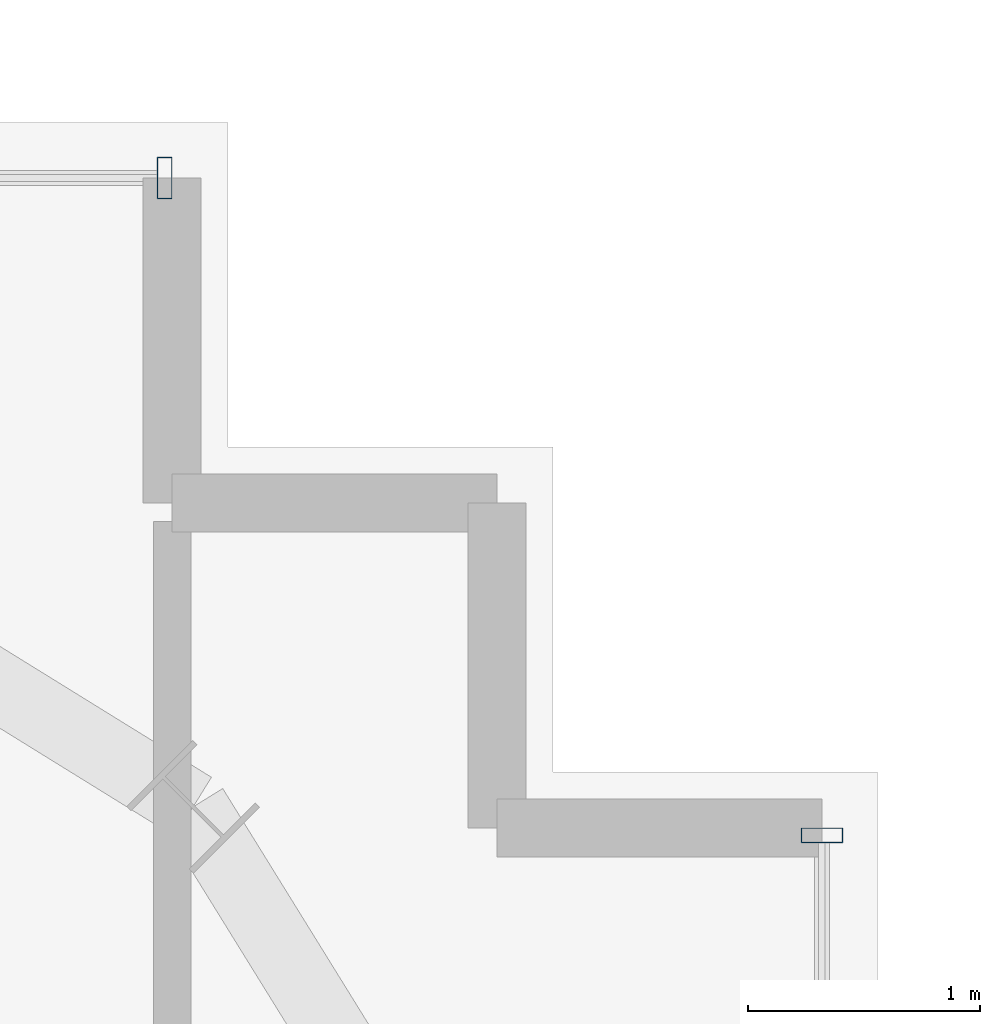
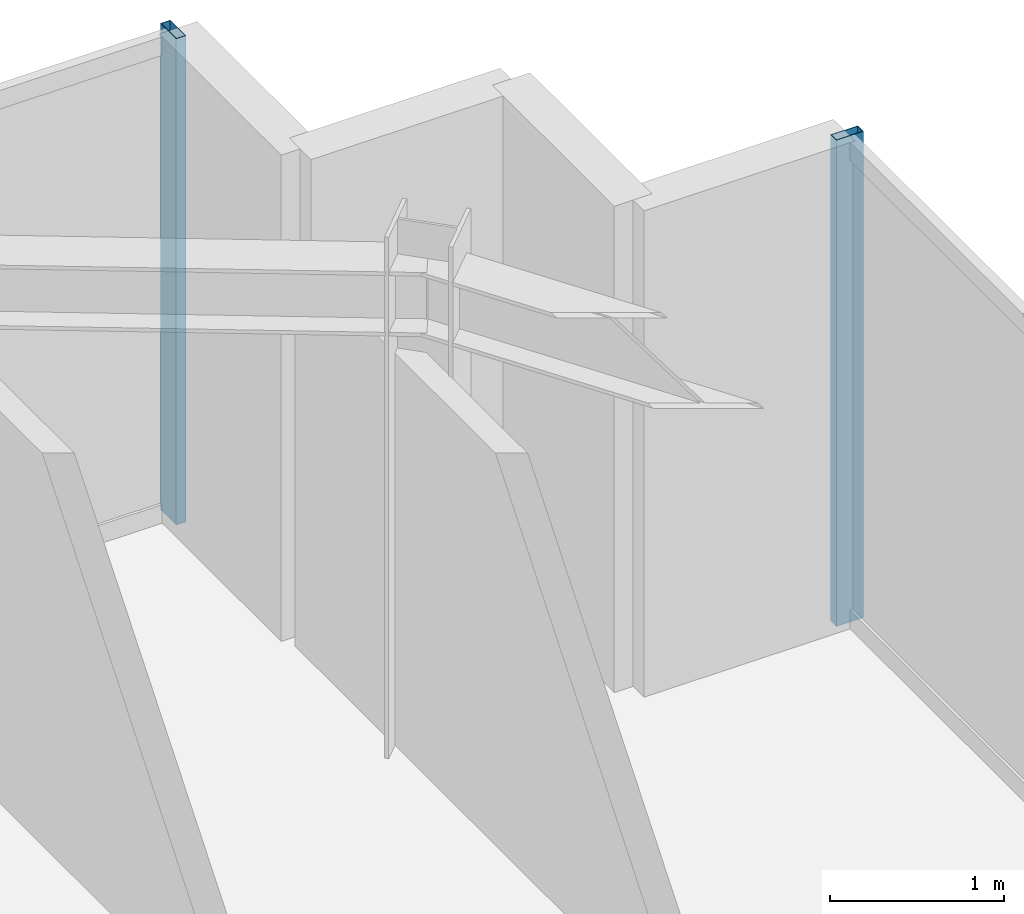
# One storey, part 28 of 36: 2 members, 2 elements without a shape of their own.
"""IFC4 building model written with IfcOpenShell, lengths in metres."""

from ifc_helpers import new_model, si_unit, direction, frame, origin, origin_2d, place, context, subcontext, project, spatial, hollow_rectangle, extrude, source, transform, mapped, material, material_profile, profile_set, type_object, element, aggregate, save


model = new_model("IFC4")

# Units and contexts
model_context = context("Model", 3, precision=1e-05, world=origin(), true_north=direction((0.0, 1.0)))
body_context = subcontext(model_context, "Body", "Model", "MODEL_VIEW")
ifc_project = project(units=[si_unit("LENGTHUNIT", "METRE"), si_unit("AREAUNIT", "SQUARE_METRE"), si_unit("VOLUMEUNIT", "CUBIC_METRE"), si_unit("PLANEANGLEUNIT", "RADIAN"), si_unit("MASSUNIT", "GRAM", prefix="KILO")], contexts=[model_context])

# Site, building, storey
site_placement = place(None, origin())
site = spatial("IfcSite", under=ifc_project, at=site_placement, CompositionType="ELEMENT")
building_placement = place(site_placement, origin())
building = spatial("IfcBuilding", under=site, at=building_placement, Name="Nahalor Promenade Grand Hotel", CompositionType="ELEMENT")
storey_placement = place(building_placement, frame((0.0, 0.0, 234.5)))
storey = spatial("IfcBuildingStorey", under=building, at=storey_placement, Name="L60", CompositionType="ELEMENT", Elevation=234.5)

# Curtain wall, member
ifc_material = material(Name="Anodised Bronze Aluminium EN AW-6063 T6", Category="aluminium")
curtain_wall_type = type_object("IfcCurtainWallType", Name="CW2 Typical Hotel Flush Bronze Unitised Curtain Wall", PredefinedType="USERDEFINED", material=ifc_material)
curtain_wall_1_placement = place(storey_placement, origin())
curtain_wall_1 = element("IfcCurtainWall", 1, at=curtain_wall_1_placement, inside=storey, type_object=curtain_wall_type, Name="L60 Curtain Wall CW-L60-N-3", ObjectType="UNITISED_CURTAIN_WALL", PredefinedType="USERDEFINED")
ifc_material_profile = material_profile(ifc_material, hollow_rectangle(XDim=0.065, YDim=0.18, WallThickness=0.004, at=origin_2d()), Name="CWM 65x180x4")
ifc_profile_set = profile_set([ifc_material_profile], Name="Anodised Bronze Aluminium EN AW-6063 T6")
member_type = type_object("IfcMemberType", Name="CWM2 Typical Bronze Mullion 65x180", PredefinedType="MULLION", material=ifc_profile_set)
shared_shape = source(origin(), body_context, "Body", "SweptSolid", [
    extrude(hollow_rectangle(XDim=0.065, YDim=0.18, WallThickness=0.004, at=origin_2d()), origin(), (0.0, 0.0, 1.0), 3.409912109375),
])
member_1_placement = place(storey_placement, frame((21.12744140625, 23.9599609375, 0.0), z_axis=(0.0, 0.0, 1.0), x_axis=(1.0, 0.0, 0.0)))
member_1 = element("IfcMember", 2, at=member_1_placement, type_object=member_type, Name="CW-L60-N-3 Mullion 3", PredefinedType="MULLION", context=body_context, shape_type="MappedRepresentation", body=[
    mapped(shared_shape, transform((0.0, 0.0, 0.0), scale=1.0)),
])
aggregate(curtain_wall_1, [member_1])

curtain_wall_2_placement = place(storey_placement, origin())
curtain_wall_2 = element("IfcCurtainWall", 3, at=curtain_wall_2_placement, inside=storey, type_object=curtain_wall_type, Name="L60 Curtain Wall CW-L60-E-3", ObjectType="UNITISED_CURTAIN_WALL", PredefinedType="USERDEFINED")
member_2_placement = place(storey_placement, frame((23.9599609375, 21.12744140625, 0.0), z_axis=(0.0, 0.0, 1.0), x_axis=(0.0, 1.0, 0.0)))
member_2 = element("IfcMember", 4, at=member_2_placement, type_object=member_type, Name="CW-L60-E-3 Mullion 3", PredefinedType="MULLION", context=body_context, shape_type="MappedRepresentation", body=[
    mapped(shared_shape, transform((0.0, 0.0, 0.0), scale=1.0)),
])
aggregate(curtain_wall_2, [member_2])

save(model, "model.ifc")
